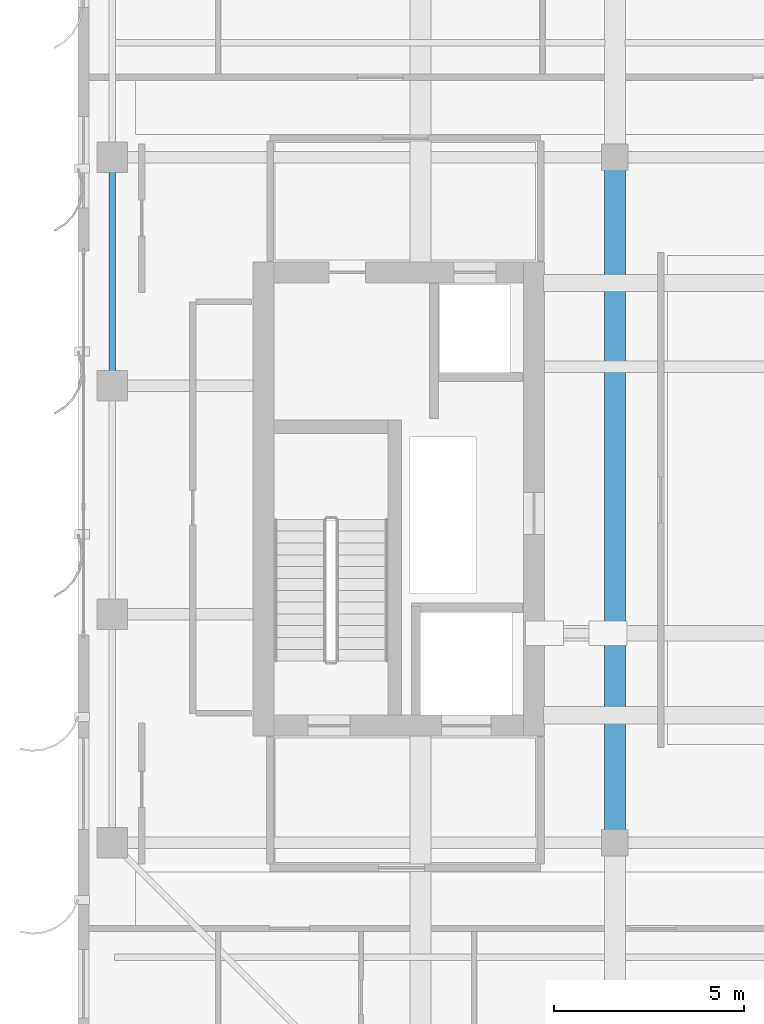
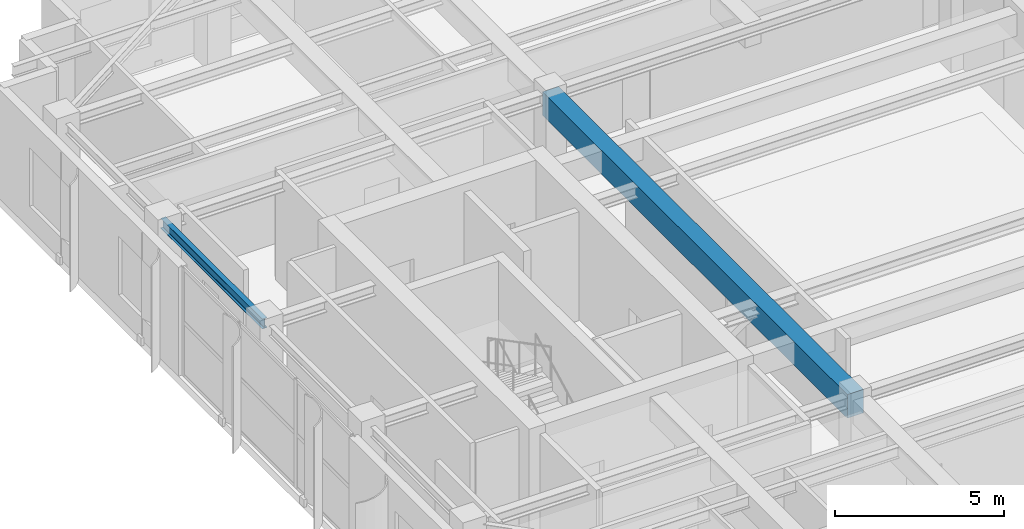
# One storey, part 9 of 26: 2 beams.
"""IFC4 building model written with IfcOpenShell, lengths in metres."""

import ifcopenshell
import ifcopenshell.guid

model = None  # the IFC model being written
_history = None  # IfcOwnerHistory: only IFC2X3 demands one
_inside = {}  # id of a spatial element -> (the spatial element, [elements in it])
_under = {}  # id of a project, library or spatial element -> (it, [spatial elements below it])
_declared = {}  # id of a project -> (the project, [libraries it declares])
_typed = {}  # id of a type object -> (the type object, [elements of that type])
_made_of = {}  # id of a material, layer set ... -> (it, [elements and type objects made of it])


def new_model(schema):
    """Start an empty IFC model of exactly this schema.

    Asked for "IFC4X3", IfcOpenShell would pick the latest addendum, in which some entities
    have other attributes; the version numbers below select the first issue.
    IFC2X3 requires an IfcOwnerHistory on every rooted entity: one is made here for all.
    """
    global model, _history
    if schema == "IFC4X3":
        model = ifcopenshell.file(schema_version=(4, 3, 0, 0))
    else:
        model = ifcopenshell.file(schema=schema)
    _inside.clear()
    _under.clear()
    _declared.clear()
    _typed.clear()
    _made_of.clear()
    _history = None
    if model.schema == "IFC2X3":
        org = make("IfcOrganization", Name="unknown")
        user = make(
            "IfcPersonAndOrganization",
            ThePerson=make("IfcPerson", FamilyName="unknown"),
            TheOrganization=org,
        )
        app = make(
            "IfcApplication",
            ApplicationDeveloper=org,
            Version="unknown",
            ApplicationFullName="unknown",
            ApplicationIdentifier="unknown",
        )
        _history = make(
            "IfcOwnerHistory",
            OwningUser=user,
            OwningApplication=app,
            ChangeAction="ADDED",
            CreationDate=0,
        )
    return model


def make(cls, **values):
    """One entity of the class cls with the attributes given. An attribute that is None is left unset."""
    return model.create_entity(
        cls, **{name: value for name, value in values.items() if value is not None}
    )


def rooted(cls, **values):
    """An entity with a GlobalId (a new one), such as an element, a storey or a relation."""
    return make(cls, GlobalId=ifcopenshell.guid.new(), OwnerHistory=_history, **values)


def si_unit(unit_type, name, prefix=None):
    """IfcSIUnit, for example si_unit("LENGTHUNIT", "METRE", prefix="MILLI")."""
    return make("IfcSIUnit", UnitType=unit_type, Prefix=prefix, Name=name)


def assignment(units):
    """IfcUnitAssignment: the units of a project."""
    return None if units is None else make("IfcUnitAssignment", Units=units)


def point(xyz):
    """IfcCartesianPoint."""
    return None if xyz is None else make("IfcCartesianPoint", Coordinates=xyz)


def direction(xyz):
    """IfcDirection."""
    return None if xyz is None else make("IfcDirection", DirectionRatios=xyz)


def frame(location, z_axis=None, x_axis=None):
    """IfcAxis2Placement3D, a coordinate frame: its origin and axes. An axis left out is left unset."""
    return make(
        "IfcAxis2Placement3D",
        Location=point(location),
        Axis=direction(z_axis),
        RefDirection=direction(x_axis),
    )


def frame_2d(location, x_axis=None):
    """IfcAxis2Placement2D, a coordinate frame in the plane: its origin and x axis."""
    return make(
        "IfcAxis2Placement2D", Location=point(location), RefDirection=direction(x_axis)
    )


def origin():
    """The frame at (0, 0, 0) with its axes left unset."""
    return frame((0.0, 0.0, 0.0))


def origin_2d():
    """The frame at (0, 0) in the plane with its x axis left unset."""
    return frame_2d((0.0, 0.0))


def place(relative_to, where):
    """IfcLocalPlacement: puts the frame where relative to a parent placement (None: the world)."""
    return make(
        "IfcLocalPlacement", PlacementRelTo=relative_to, RelativePlacement=where
    )


def context(
    kind, dimensions, precision=None, world=None, true_north=None, identifier=None
):
    """IfcGeometricRepresentationContext, for example the 3D "Model" context."""
    return make(
        "IfcGeometricRepresentationContext",
        ContextIdentifier=identifier,
        ContextType=kind,
        CoordinateSpaceDimension=dimensions,
        Precision=precision,
        WorldCoordinateSystem=world,
        TrueNorth=true_north,
    )


def subcontext(parent, identifier, kind, view, scale=None):
    """IfcGeometricRepresentationSubContext, for example "Body" below "Model"."""
    return make(
        "IfcGeometricRepresentationSubContext",
        ContextIdentifier=identifier,
        ContextType=kind,
        ParentContext=parent,
        TargetScale=scale,
        TargetView=view,
    )


def project(units=None, contexts=None):
    """IfcProject with its units and contexts."""
    return rooted(
        "IfcProject",
        Name="project",
        RepresentationContexts=contexts,
        UnitsInContext=assignment(units),
    )


def spatial(cls, under=None, at=None, **own):
    """A site, building, storey or space (cls), placed at a placement, below another one or the project."""
    s = rooted(cls, ObjectPlacement=at, **own)
    if under is not None:
        _under.setdefault(under.id(), (under, []))[1].append(s)
    return s


def profile(cls, at=None, kind="AREA", **sizes):
    """A parametric profile (cls). Its sizes go by their IFC names, for example OverallWidth=200.0."""
    return make(cls, ProfileType=kind, Position=at, **sizes)


def rectangle(**sizes):
    """IfcRectangleProfileDef."""
    return profile("IfcRectangleProfileDef", **sizes)


def i_section(**sizes):
    """IfcIShapeProfileDef."""
    return profile("IfcIShapeProfileDef", **sizes)


def extrude(swept, where, along, depth):
    """IfcExtrudedAreaSolid: the profile swept, set in the frame where, extruded along a direction by depth."""
    return make(
        "IfcExtrudedAreaSolid",
        SweptArea=swept,
        Position=where,
        ExtrudedDirection=direction(along),
        Depth=depth,
    )


def shape(context_of_items, identifier, shape_type, items):
    """IfcShapeRepresentation: the items that make up one representation, for example the "Body"."""
    return make(
        "IfcShapeRepresentation",
        ContextOfItems=context_of_items,
        RepresentationIdentifier=identifier,
        RepresentationType=shape_type,
        Items=items,
    )


def source(mapping_origin, context_of_items, identifier, shape_type, items):
    """IfcRepresentationMap: a shape defined once, which mapped items show again and again."""
    return make(
        "IfcRepresentationMap",
        MappingOrigin=mapping_origin,
        MappedRepresentation=shape(context_of_items, identifier, shape_type, items),
    )


def transform(
    local_origin,
    x_axis=None,
    y_axis=None,
    z_axis=None,
    scale=None,
    scale2=None,
    scale3=None,
    uniform=True,
):
    """IfcCartesianTransformationOperator3D, or its non-uniform kind. x_axis, y_axis, z_axis: its Axis1, 2, 3."""
    if uniform:
        return make(
            "IfcCartesianTransformationOperator3D",
            Axis1=direction(x_axis),
            Axis2=direction(y_axis),
            LocalOrigin=point(local_origin),
            Scale=scale,
            Axis3=direction(z_axis),
        )
    return make(
        "IfcCartesianTransformationOperator3DnonUniform",
        Axis1=direction(x_axis),
        Axis2=direction(y_axis),
        LocalOrigin=point(local_origin),
        Scale=scale,
        Axis3=direction(z_axis),
        Scale2=scale2,
        Scale3=scale3,
    )


def mapped(mapping_source, mapping_target):
    """IfcMappedItem: shows the shape of a source again, moved by a transform."""
    return make(
        "IfcMappedItem", MappingSource=mapping_source, MappingTarget=mapping_target
    )


def material(Name=None, Category=None):
    """IfcMaterial."""
    return make("IfcMaterial", Name=Name, Category=Category)


def material_profile(
    of_material, cross_section, Name=None, Category=None, Priority=None
):
    """IfcMaterialProfile: a cross section and its material."""
    return make(
        "IfcMaterialProfile",
        Name=Name,
        Material=of_material,
        Profile=cross_section,
        Priority=Priority,
        Category=Category,
    )


def profile_set(profiles, Name=None, composite=None):
    """IfcMaterialProfileSet."""
    return make(
        "IfcMaterialProfileSet",
        Name=Name,
        MaterialProfiles=profiles,
        CompositeProfile=composite,
    )


def made_of(thing, what):
    """Note that an element or type object is made of a material, layer set ...; save() writes the relation."""
    if what is not None:
        _made_of.setdefault(what.id(), (what, []))[1].append(thing)
    return thing


def type_object(cls, material=None, **own):
    """A type object (cls), such as IfcWallType, which elements share."""
    return made_of(rooted(cls, **own), material)


def element(
    cls,
    number,
    at=None,
    inside=None,
    cuts=None,
    type_object=None,
    material=None,
    context=None,
    identifier="Body",
    shape_type=None,
    held_by="IfcProductDefinitionShape",
    body=None,
    shapes=None,
    **own,
):
    """One element of the class cls, such as IfcWall. Its Tag is "e" and its number.

    at: its placement. inside: the storey or other place that contains it. cuts: it is an
    opening in that element (IfcRelVoidsElement). A single representation is given by context,
    identifier, shape_type and body (its items); several are given by shapes. held_by: the class
    of the entity that holds the representations. save() writes the other relations.
    """
    e = rooted(cls, Tag="e%d" % number, ObjectPlacement=at, **own)
    if body is not None:
        shapes = [shape(context, identifier, shape_type, body)]
    if shapes is not None:
        e.Representation = make(held_by, Representations=shapes)
    if inside is not None:
        _inside.setdefault(inside.id(), (inside, []))[1].append(e)
    if cuts is not None:
        rooted(
            "IfcRelVoidsElement", RelatingBuildingElement=cuts, RelatedOpeningElement=e
        )
    if type_object is not None:
        _typed.setdefault(type_object.id(), (type_object, []))[1].append(e)
    return made_of(e, material)


def aggregate(whole, parts):
    """IfcRelAggregates: a whole, such as a stair, and the parts it consists of."""
    return rooted("IfcRelAggregates", RelatingObject=whole, RelatedObjects=parts)


def save(model, path):
    """Write the relations noted so far, then the file.

    IfcRelAggregates (storeys below a building ...), IfcRelContainedInSpatialStructure (elements
    in a storey), IfcRelDefinesByType, IfcRelAssociatesMaterial and IfcRelDeclares: one each for
    every whole, place, type object, material and project.
    """
    for whole, parts in _under.values():
        aggregate(whole, parts)
    for where, things in _inside.values():
        rooted(
            "IfcRelContainedInSpatialStructure",
            RelatedElements=things,
            RelatingStructure=where,
        )
    for kind, things in _typed.values():
        rooted("IfcRelDefinesByType", RelatedObjects=things, RelatingType=kind)
    for what, things in _made_of.values():
        rooted("IfcRelAssociatesMaterial", RelatedObjects=things, RelatingMaterial=what)
    for by, libraries in _declared.values():
        rooted("IfcRelDeclares", RelatingContext=by, RelatedDefinitions=libraries)
    model.write(path)


model = new_model("IFC4")

# Units and contexts
model_context = context("Model", 3, precision=1e-05, world=origin(), true_north=direction((0.0, 1.0)))
body_context = subcontext(model_context, "Body", "Model", "MODEL_VIEW")
ifc_project = project(units=[si_unit("LENGTHUNIT", "METRE"), si_unit("AREAUNIT", "SQUARE_METRE"), si_unit("VOLUMEUNIT", "CUBIC_METRE"), si_unit("PLANEANGLEUNIT", "RADIAN"), si_unit("MASSUNIT", "GRAM", prefix="KILO")], contexts=[model_context])

# Site, building, storey
site_placement = place(None, origin())
site = spatial("IfcSite", under=ifc_project, at=site_placement, CompositionType="ELEMENT")
building_placement = place(site_placement, origin())
building = spatial("IfcBuilding", under=site, at=building_placement, Name="Khoralis Quay Care Tower", CompositionType="ELEMENT")
storey_placement = place(building_placement, frame((0.0, 0.0, 289.5)))
storey = spatial("IfcBuildingStorey", under=building, at=storey_placement, Name="L76", CompositionType="ELEMENT", Elevation=289.5)

# Beams
ifc_material_1 = material(Name="Steel S355", Category="steel")
ifc_material_profile_1 = material_profile(ifc_material_1, i_section(OverallWidth=0.169921875, OverallDepth=0.360107421875, WebThickness=0.008056640625, FlangeThickness=0.0126953125, FilletRadius=0.01806640625, at=origin_2d()), Name="Steel S355")
ifc_profile_set_1 = profile_set([ifc_material_profile_1], Name="Steel S355")
beam_type_1 = type_object("IfcBeamType", Name="BM-IPE360", PredefinedType="SPANDREL", material=ifc_profile_set_1)
shared_shape_1 = source(origin(), body_context, "Body", "SweptSolid", [
    extrude(i_section(OverallWidth=0.169921875, OverallDepth=0.360107421875, WebThickness=0.008056640625, FlangeThickness=0.0126953125, FilletRadius=0.01806640625, at=origin_2d()), origin(), (0.0, 0.0, 1.0), 6.0),
])
beam_1_placement = place(storey_placement, frame((3.89990234375, 24.0, 3.739990234375), z_axis=(0.0, 1.0, 0.0), x_axis=(-1.0, 0.0, 0.0)))
element("IfcBeam", 1, at=beam_1_placement, inside=storey, type_object=beam_type_1, Name="BM-TSP-L76-11", PredefinedType="SPANDREL", context=body_context, shape_type="MappedRepresentation", body=[
    mapped(shared_shape_1, transform((0.0, 0.0, 0.0), scale=1.0)),
])
ifc_material_2 = material(Name="Concrete C50/60", Category="concrete")
ifc_material_profile_2 = material_profile(ifc_material_2, rectangle(XDim=0.550048828125, YDim=0.85009765625, at=origin_2d()), Name="Concrete C50/60")
ifc_profile_set_2 = profile_set([ifc_material_profile_2], Name="Concrete C50/60")
beam_type_2 = type_object("IfcBeamType", Name="BM-RC550X850", PredefinedType="BEAM", material=ifc_profile_set_2)
shared_shape_2 = source(origin(), body_context, "Body", "SweptSolid", [
    extrude(rectangle(XDim=0.550048828125, YDim=0.85009765625, at=origin_2d()), origin(), (0.0, 0.0, 1.0), 18.0),
])
beam_2_placement = place(storey_placement, frame((17.10009765625, 12.0, 3.4951171875), z_axis=(0.0, 1.0, 0.0), x_axis=(-1.0, 0.0, 0.0)))
element("IfcBeam", 2, at=beam_2_placement, inside=storey, type_object=beam_type_2, Name="BM-TGSW-L76", PredefinedType="BEAM", context=body_context, shape_type="MappedRepresentation", body=[
    mapped(shared_shape_2, transform((0.0, 0.0, 0.0), scale=1.0)),
])

save(model, "model.ifc")
